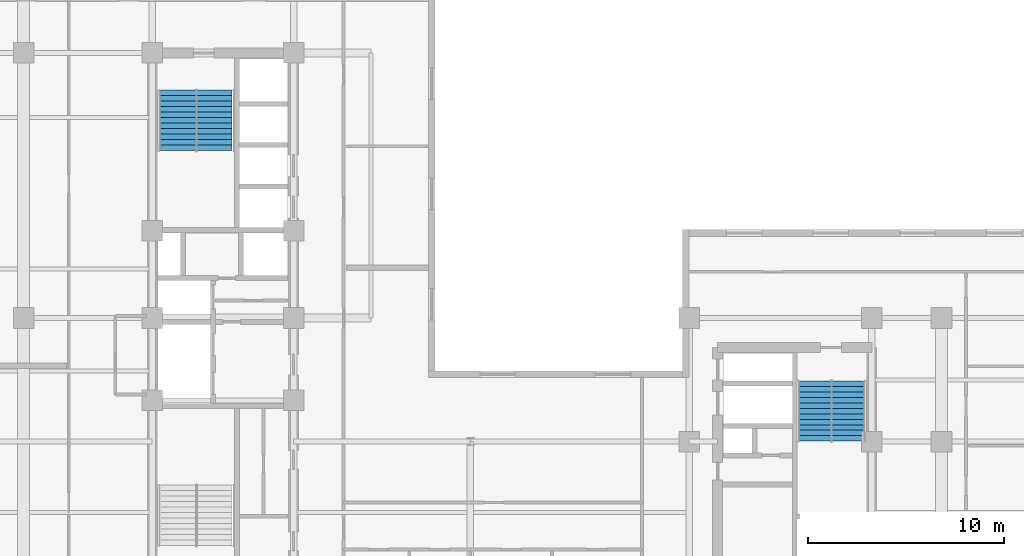
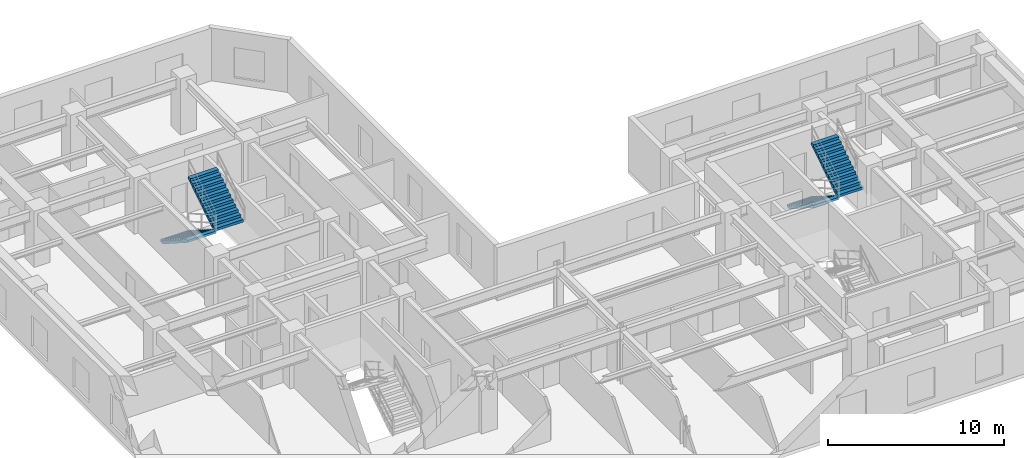
# One storey, part 7 of 10: 4 stair flights, 2 elements without a shape of their own.
"""IFC4 building model written with IfcOpenShell, lengths in metres."""

from ifc_helpers import new_model, entity, si_unit, converted_unit, direction, frame, origin_with_axes, place, context, subcontext, project, spatial, polyline, outline, extrude, material, type_object, element, aggregate, save


model = new_model("IFC4")

# Units and contexts
model_context = context("Model", 3, precision=1e-05, world=origin_with_axes(), true_north=direction((0.0, 1.0)))
body_context = subcontext(model_context, "Body", "Model", "MODEL_VIEW")
ifc_project = project(units=[si_unit("LENGTHUNIT", "METRE"), si_unit("AREAUNIT", "SQUARE_METRE"), si_unit("VOLUMEUNIT", "CUBIC_METRE"), converted_unit("PLANEANGLEUNIT", "DEGREE", entity("IfcPlaneAngleMeasure", 0.017453292519943295), si_unit("PLANEANGLEUNIT", "RADIAN"), dimensions=[0, 0, 0, 0, 0, 0, 0]), si_unit("MASSUNIT", "GRAM", prefix="KILO"), si_unit("THERMODYNAMICTEMPERATUREUNIT", "KELVIN")], contexts=[model_context])

# Site, building, storey
site_placement = place(None, origin_with_axes())
site = spatial("IfcSite", under=ifc_project, at=site_placement, CompositionType="ELEMENT")
building_placement = place(site_placement, origin_with_axes())
building = spatial("IfcBuilding", under=site, at=building_placement, Name="Varnlund Millrace Tower", CompositionType="ELEMENT")
storey_placement = place(building_placement, frame((0.0, 0.0, 179.7), z_axis=(0.0, 0.0, 1.0), x_axis=(1.0, 0.0, 0.0)))
storey = spatial("IfcBuildingStorey", under=building, at=storey_placement, Name="L44", CompositionType="ELEMENT", Elevation=179.7)

# Stair, stair flights
ifc_material_1 = material(Name="Concrete C50/60", Category="concrete")
stair_type_1 = type_object("IfcStairType", Name="Type-Stair-Dogleg-165-390", PredefinedType="HALF_TURN_STAIR", material=ifc_material_1)
stair_1_placement = place(storey_placement, origin_with_axes())
stair_1 = element("IfcStair", 1, at=stair_1_placement, inside=storey, type_object=stair_type_1, Name="Type-Stair-Dogleg-165-390", PredefinedType="HALF_TURN_STAIR")
ifc_material_2 = material(Name="Precast concrete C50/60", Category="concrete")
stair_flight_type_1 = type_object("IfcStairFlightType", Name="Type-Dogleg-Run-165-390", PredefinedType="STRAIGHT", material=ifc_material_2)
stair_flight_1_placement = place(storey_placement, frame((46.025, 21.1, 0.0), z_axis=(-1.0, 0.0, 0.0), x_axis=(0.0, -1.0, 0.0)))
stair_flight_1 = element("IfcStairFlight", 2, at=stair_flight_1_placement, type_object=stair_flight_type_1, Name="ST-B2 flight 1", NumberOfRisers=11, NumberOfTreads=11, PredefinedType="STRAIGHT", RiserHeight=0.177273, TreadLength=0.28, context=body_context, shape_type="SweptSolid", body=[
    extrude(outline(polyline([(0.0, 0.0), (0.0, 0.177273), (0.28, 0.177273), (0.28, 0.354545), (0.56, 0.354545), (0.56, 0.531818), (0.84, 0.531818), (0.84, 0.709091), (1.12, 0.709091), (1.12, 0.886364), (1.4, 0.886364), (1.4, 1.063636), (1.68, 1.063636), (1.68, 1.240909), (1.96, 1.240909), (1.96, 1.418182), (2.24, 1.418182), (2.24, 1.595454), (2.52, 1.595454), (2.52, 1.772727), (2.8, 1.772727), (2.8, 1.95), (3.08, 1.95), (3.08, 1.8), (0.28, 0.0), (0.0, 0.0)])), origin_with_axes(), (0.0, 0.0, 1.0), 1.65),
])
stair_flight_2_placement = place(storey_placement, frame((45.975, 18.02, 1.95), z_axis=(1.0, 0.0, 0.0), x_axis=(0.0, 1.0, 0.0)))
stair_flight_2 = element("IfcStairFlight", 3, at=stair_flight_2_placement, type_object=stair_flight_type_1, Name="ST-B2 flight 2", NumberOfRisers=11, NumberOfTreads=11, PredefinedType="STRAIGHT", RiserHeight=0.177273, TreadLength=0.28, context=body_context, shape_type="SweptSolid", body=[
    extrude(outline(polyline([(0.0, 0.0), (0.0, 0.177273), (0.28, 0.177273), (0.28, 0.354545), (0.56, 0.354545), (0.56, 0.531818), (0.84, 0.531818), (0.84, 0.709091), (1.12, 0.709091), (1.12, 0.886364), (1.4, 0.886364), (1.4, 1.063636), (1.68, 1.063636), (1.68, 1.240909), (1.96, 1.240909), (1.96, 1.418182), (2.24, 1.418182), (2.24, 1.595454), (2.52, 1.595454), (2.52, 1.772727), (2.8, 1.772727), (2.8, 1.95), (3.08, 1.95), (3.08, 1.8), (0.28, 0.0), (0.0, 0.0)])), origin_with_axes(), (0.0, 0.0, 1.0), 1.65),
])
aggregate(stair_1, [stair_flight_1, stair_flight_2])

stair_type_2 = type_object("IfcStairType", Name="Type-Stair-Dogleg-185-390", PredefinedType="HALF_TURN_STAIR", material=ifc_material_1)
stair_2_placement = place(storey_placement, origin_with_axes())
stair_2 = element("IfcStair", 4, at=stair_2_placement, inside=storey, type_object=stair_type_2, Name="Type-Stair-Dogleg-185-390", PredefinedType="HALF_TURN_STAIR")
stair_flight_type_2 = type_object("IfcStairFlightType", Name="Type-Dogleg-Run-185-390", PredefinedType="STRAIGHT", material=ifc_material_2)
stair_flight_3_placement = place(storey_placement, frame((13.675, 35.9, 0.0), z_axis=(-1.0, 0.0, 0.0), x_axis=(0.0, -1.0, 0.0)))
stair_flight_3 = element("IfcStairFlight", 5, at=stair_flight_3_placement, type_object=stair_flight_type_2, Name="ST-A2 flight 1", NumberOfRisers=11, NumberOfTreads=11, PredefinedType="STRAIGHT", RiserHeight=0.177273, TreadLength=0.28, context=body_context, shape_type="SweptSolid", body=[
    extrude(outline(polyline([(0.0, 0.0), (0.0, 0.177273), (0.28, 0.177273), (0.28, 0.354545), (0.56, 0.354545), (0.56, 0.531818), (0.84, 0.531818), (0.84, 0.709091), (1.12, 0.709091), (1.12, 0.886364), (1.4, 0.886364), (1.4, 1.063636), (1.68, 1.063636), (1.68, 1.240909), (1.96, 1.240909), (1.96, 1.418182), (2.24, 1.418182), (2.24, 1.595454), (2.52, 1.595454), (2.52, 1.772727), (2.8, 1.772727), (2.8, 1.95), (3.08, 1.95), (3.08, 1.8), (0.28, 0.0), (0.0, 0.0)])), origin_with_axes(), (0.0, 0.0, 1.0), 1.85),
])
stair_flight_4_placement = place(storey_placement, frame((13.625, 32.82, 1.95), z_axis=(1.0, 0.0, 0.0), x_axis=(0.0, 1.0, 0.0)))
stair_flight_4 = element("IfcStairFlight", 6, at=stair_flight_4_placement, type_object=stair_flight_type_2, Name="ST-A2 flight 2", NumberOfRisers=11, NumberOfTreads=11, PredefinedType="STRAIGHT", RiserHeight=0.177273, TreadLength=0.28, context=body_context, shape_type="SweptSolid", body=[
    extrude(outline(polyline([(0.0, 0.0), (0.0, 0.177273), (0.28, 0.177273), (0.28, 0.354545), (0.56, 0.354545), (0.56, 0.531818), (0.84, 0.531818), (0.84, 0.709091), (1.12, 0.709091), (1.12, 0.886364), (1.4, 0.886364), (1.4, 1.063636), (1.68, 1.063636), (1.68, 1.240909), (1.96, 1.240909), (1.96, 1.418182), (2.24, 1.418182), (2.24, 1.595454), (2.52, 1.595454), (2.52, 1.772727), (2.8, 1.772727), (2.8, 1.95), (3.08, 1.95), (3.08, 1.8), (0.28, 0.0), (0.0, 0.0)])), origin_with_axes(), (0.0, 0.0, 1.0), 1.85),
])
aggregate(stair_2, [stair_flight_3, stair_flight_4])

save(model, "model.ifc")
